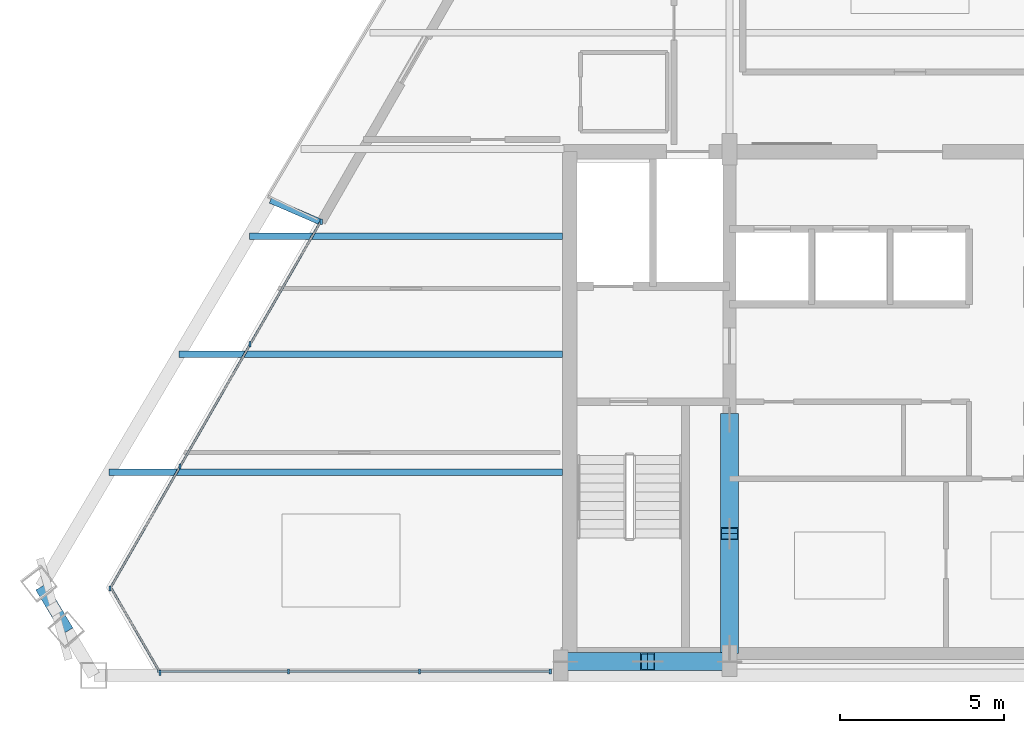
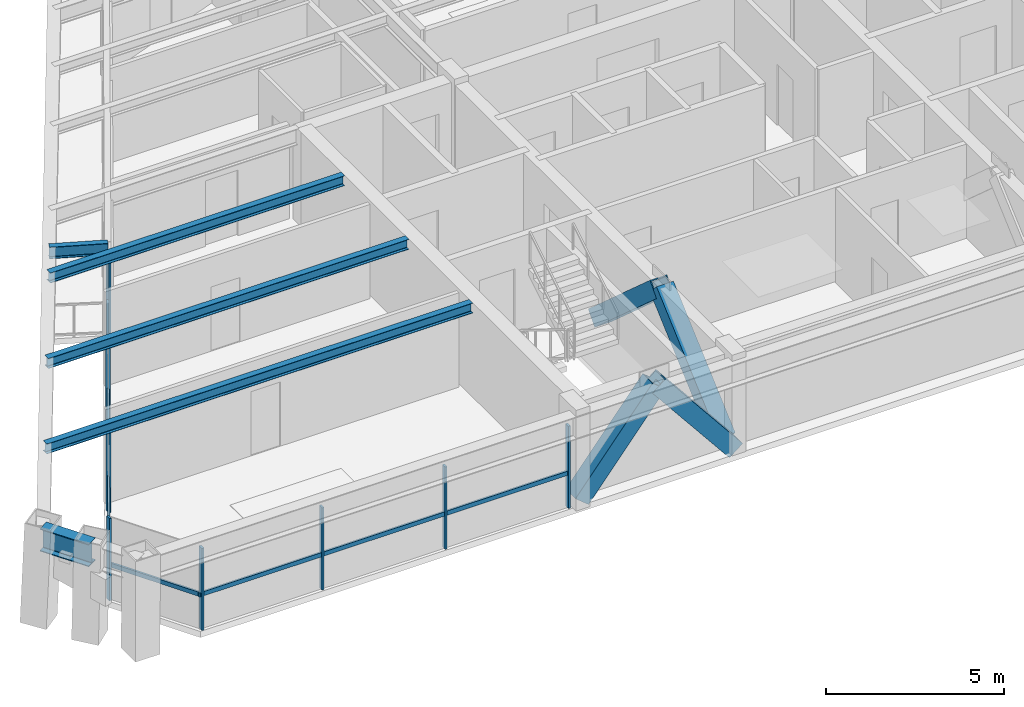
# One storey, part 2 of 13: 19 members, 5 beams, 3 elements without a shape of their own.
"""IFC4 building model written with IfcOpenShell, lengths in metres."""

from ifc_helpers import new_model, si_unit, direction, frame, origin, origin_2d, place, context, subcontext, project, spatial, rectangle, hollow_rectangle, i_section, extrude, source, transform, mapped, material, material_profile, profile_set, type_object, type_shapes, element, aggregate, save


model = new_model("IFC4")

# Units and contexts
model_context = context("Model", 3, precision=1e-05, world=origin(), true_north=direction((0.0, 1.0)))
body_context = subcontext(model_context, "Body", "Model", "MODEL_VIEW")
ifc_project = project(units=[si_unit("LENGTHUNIT", "METRE"), si_unit("AREAUNIT", "SQUARE_METRE"), si_unit("VOLUMEUNIT", "CUBIC_METRE"), si_unit("PLANEANGLEUNIT", "RADIAN"), si_unit("MASSUNIT", "GRAM", prefix="KILO")], contexts=[model_context])

# Site, building, storey
site_placement = place(None, origin())
site = spatial("IfcSite", under=ifc_project, at=site_placement, CompositionType="ELEMENT")
building_placement = place(site_placement, origin())
building = spatial("IfcBuilding", under=site, at=building_placement, Name="Varnakhor Terracotta Tower", CompositionType="ELEMENT")
storey_placement = place(building_placement, frame((0.0, 0.0, 293.699951171875)))
storey = spatial("IfcBuildingStorey", under=building, at=storey_placement, Name="L77", CompositionType="ELEMENT", Elevation=293.699951171875)

# Members
ifc_material_1 = material(Name="Steel S355", Category="steel")
ifc_material_profile_1 = material_profile(ifc_material_1, hollow_rectangle(XDim=0.550048828125, YDim=0.550048828125, WallThickness=0.034912109375, at=origin_2d()), Name="HSS550X550X35")
ifc_profile_set_1 = profile_set([ifc_material_profile_1], Name="Steel S355")
member_type_1 = type_object("IfcMemberType", Name="MBR-MEGA-550", PredefinedType="BRACE", material=ifc_profile_set_1)
shared_shape_1 = source(origin(), body_context, "Body", "SweptSolid", [
    extrude(hollow_rectangle(XDim=0.550048828125, YDim=0.550048828125, WallThickness=0.034912109375, at=origin_2d()), origin(), (0.0, 0.0, 1.0), 3.974853515625),
])
for number, where, z_axis, x_axis, name in (
    (1, (-10.5, 0.419921875, 0.0), (0.628970263838, 0.0, 0.777429358339), (0.0, 1.0, 0.0), "L77 Core Coupled Brace CSWA"),
    (2, (-5.5, 0.419921875, 0.0), (-0.628970263838, 0.0, 0.777429358339), (0.0, -1.0, 0.0), "L77 Core Coupled Brace CSWB"),
):
    element("IfcMember", number, at=place(storey_placement, frame(where, z_axis=z_axis, x_axis=x_axis)), inside=storey, type_object=member_type_1, Name=name, PredefinedType="BRACE", context=body_context, shape_type="MappedRepresentation", body=[
        mapped(shared_shape_1, transform((0.0, 0.0, 0.0), scale=1.0)),
    ])
shared_shape_2 = source(origin(), body_context, "Body", "SweptSolid", [
    extrude(hollow_rectangle(XDim=0.550048828125, YDim=0.550048828125, WallThickness=0.034912109375, at=origin_2d()), origin(), (0.0, 0.0, 1.0), 4.650146484375),
])
for number, where, z_axis, x_axis, name in (
    (3, (-5.5, 0.85009765625, 0.0), (0.0, 0.74726736397, 0.664523503532), (-1.0, 0.0, 0.0), "L77 Core Coupled Brace CWWA"),
    (4, (-5.5, 7.800048828125, 0.0), (0.0, -0.74729054724, 0.664497432655), (1.0, 0.0, 0.0), "L77 Core Coupled Brace CWWB"),
):
    element("IfcMember", number, at=place(storey_placement, frame(where, z_axis=z_axis, x_axis=x_axis)), inside=storey, type_object=member_type_1, Name=name, PredefinedType="BRACE", context=body_context, shape_type="MappedRepresentation", body=[
        mapped(shared_shape_2, transform((0.0, 0.0, 0.0), scale=1.0)),
    ])

# Beams
ifc_material_profile_2 = material_profile(ifc_material_1, i_section(OverallWidth=0.381103515625, OverallDepth=0.77294921875, WebThickness=0.01708984375, FlangeThickness=0.027099609375, FilletRadius=0.01806640625, at=origin_2d()), Name="W30X173")
ifc_profile_set_2 = profile_set([ifc_material_profile_2], Name="Steel S355")
beam_type_1 = type_object("IfcBeamType", Name="BM-W30X173", PredefinedType="BEAM", material=ifc_profile_set_2)
shared_shape_3 = source(origin(), body_context, "Body", "SweptSolid", [
    extrude(i_section(OverallWidth=0.381103515625, OverallDepth=0.77294921875, WebThickness=0.01708984375, FlangeThickness=0.027099609375, FilletRadius=0.01806640625, at=origin_2d()), origin(), (0.0, 0.0, 1.0), 1.572998046875),
])
beam_1_placement = place(storey_placement, frame((-26.49755859375, 2.703369140625, 2.853515625), z_axis=(0.511685751654, -0.859172678543, 0.0), x_axis=(0.859172678543, 0.511685751654, 0.0)))
element("IfcBeam", 5, at=beam_1_placement, inside=storey, type_object=beam_type_1, Name="L77 Perimeter Spandrel 7", PredefinedType="BEAM", context=body_context, shape_type="MappedRepresentation", body=[
    mapped(shared_shape_3, transform((0.0, 0.0, 0.0), scale=1.0)),
])
ifc_material_profile_3 = material_profile(ifc_material_1, i_section(OverallWidth=0.202880859375, OverallDepth=0.346923828125, WebThickness=0.0078125, FlangeThickness=0.013427734375, FilletRadius=0.01806640625, at=origin_2d()), Name="W14X43")
ifc_profile_set_3 = profile_set([ifc_material_profile_3], Name="Steel S355")
beam_type_2 = type_object("IfcBeamType", Name="JST-W14X43", PredefinedType="JOIST", material=ifc_profile_set_3)
shared_shape_4 = source(origin(), body_context, "Body", "SweptSolid", [
    extrude(i_section(OverallWidth=0.202880859375, OverallDepth=0.346923828125, WebThickness=0.0078125, FlangeThickness=0.013427734375, FilletRadius=0.01806640625, at=origin_2d()), origin(), (0.0, 0.0, 1.0), 13.822509765625),
])
beam_2_placement = place(storey_placement, frame((-24.422607421875, 6.199951171875, 3.066650390625), z_axis=(1.0, 0.0, 0.0), x_axis=(0.0, 1.0, 0.0)))
element("IfcBeam", 6, at=beam_2_placement, inside=storey, type_object=beam_type_2, Name="L77 Floor Joist W1", PredefinedType="JOIST", context=body_context, shape_type="MappedRepresentation", body=[
    mapped(shared_shape_4, transform((0.0, 0.0, 0.0), scale=1.0)),
])
shared_shape_5 = source(origin(), body_context, "Body", "SweptSolid", [
    extrude(i_section(OverallWidth=0.202880859375, OverallDepth=0.346923828125, WebThickness=0.0078125, FlangeThickness=0.013427734375, FilletRadius=0.01806640625, at=origin_2d()), origin(), (0.0, 0.0, 1.0), 11.686279296875),
])
beam_3_placement = place(storey_placement, frame((-22.286376953125, 9.800048828125, 3.066650390625), z_axis=(1.0, 0.0, 0.0), x_axis=(0.0, 1.0, 0.0)))
element("IfcBeam", 7, at=beam_3_placement, inside=storey, type_object=beam_type_2, Name="L77 Floor Joist W2", PredefinedType="JOIST", context=body_context, shape_type="MappedRepresentation", body=[
    mapped(shared_shape_5, transform((0.0, 0.0, 0.0), scale=1.0)),
])
shared_shape_6 = source(origin(), body_context, "Body", "SweptSolid", [
    extrude(i_section(OverallWidth=0.202880859375, OverallDepth=0.346923828125, WebThickness=0.0078125, FlangeThickness=0.013427734375, FilletRadius=0.01806640625, at=origin_2d()), origin(), (0.0, 0.0, 1.0), 9.550048828125),
])
beam_4_placement = place(storey_placement, frame((-20.150146484375, 13.39990234375, 3.066650390625), z_axis=(1.0, 0.0, 0.0), x_axis=(0.0, 1.0, 0.0)))
element("IfcBeam", 8, at=beam_4_placement, inside=storey, type_object=beam_type_2, Name="L77 Floor Joist W3", PredefinedType="JOIST", context=body_context, shape_type="MappedRepresentation", body=[
    mapped(shared_shape_6, transform((0.0, 0.0, 0.0), scale=1.0)),
])

# Curtain wall, members
ifc_material_2 = material(Name="Anodised Aluminium Curtain Wall System", Category="aluminium")
curtain_wall_type = type_object("IfcCurtainWallType", Name="CW-SYS-HOTEL-LOGGIA", PredefinedType="NOTDEFINED", material=ifc_material_2)
curtain_wall_1_placement = place(storey_placement, origin())
curtain_wall_1 = element("IfcCurtainWall", 9, at=curtain_wall_1_placement, inside=storey, type_object=curtain_wall_type, Name="L77 W Facet Curtain Wall 1", PredefinedType="NOTDEFINED")
ifc_material_3 = material(Name="Anodised Aluminium 6063-T6", Category="aluminium")
ifc_material_profile_4 = material_profile(ifc_material_3, rectangle(XDim=0.06494140625, YDim=0.159912109375, at=origin_2d()), Name="ALU MULLION 65x160")
ifc_profile_set_4 = profile_set([ifc_material_profile_4], Name="Anodised Aluminium 6063-T6")
member_type_2 = type_object("IfcMemberType", Name="CWM-04", PredefinedType="MULLION", material=ifc_profile_set_4)
shared_shape_7 = source(origin(), body_context, "Body", "SweptSolid", [
    extrude(rectangle(XDim=0.06494140625, YDim=0.159912109375, at=origin_2d()), origin(), (0.0, 0.0, 1.0), 2.820068359375),
])
type_shapes(member_type_2, [shared_shape_7])
member_1_placement = place(storey_placement, frame((-24.393798828125, 2.652587890625, 0.0), z_axis=(0.0, 0.0, 1.0), x_axis=(1.0, 0.0, 0.0)))
member_1 = element("IfcMember", 10, at=member_1_placement, type_object=member_type_2, Name="L77 W Facet Curtain Wall 1 Mullion 1", PredefinedType="MULLION", context=body_context, shape_type="MappedRepresentation", body=[
    mapped(shared_shape_7, transform((0.0, 0.0, 0.0), scale=1.0)),
])
member_2_placement = place(storey_placement, frame((-22.258056640625, 6.37548828125, 0.0), z_axis=(0.0, 0.0, 1.0), x_axis=(1.0, 0.0, 0.0)))
member_2 = element("IfcMember", 11, at=member_2_placement, type_object=member_type_2, Name="L77 W Facet Curtain Wall 1 Mullion 2", PredefinedType="MULLION", context=body_context, shape_type="MappedRepresentation", body=[
    mapped(shared_shape_7, transform((0.0, 0.0, 0.0), scale=1.0)),
])
member_3_placement = place(storey_placement, frame((-20.12255859375, 10.098388671875, 0.0), z_axis=(0.0, 0.0, 1.0), x_axis=(1.0, 0.0, 0.0)))
member_3 = element("IfcMember", 12, at=member_3_placement, type_object=member_type_2, Name="L77 W Facet Curtain Wall 1 Mullion 3", PredefinedType="MULLION", context=body_context, shape_type="MappedRepresentation", body=[
    mapped(shared_shape_7, transform((0.0, 0.0, 0.0), scale=1.0)),
])
member_4_placement = place(storey_placement, frame((-17.95458984375, 13.83740234375, 0.0), z_axis=(0.0, 0.0, 1.0), x_axis=(1.0, 0.0, 0.0)))
member_4 = element("IfcMember", 13, at=member_4_placement, type_object=member_type_2, Name="L77 W Loggia Jamb Closure Mullion 1", PredefinedType="MULLION", context=body_context, shape_type="MappedRepresentation", body=[
    mapped(shared_shape_7, transform((0.0, 0.0, 0.0), scale=1.0)),
])

curtain_wall_2_placement = place(storey_placement, origin())
curtain_wall_2 = element("IfcCurtainWall", 14, at=curtain_wall_2_placement, inside=storey, type_object=curtain_wall_type, Name="L77 South Wing Curtain Wall SSW", PredefinedType="NOTDEFINED")
member_5_placement = place(storey_placement, frame((-10.969970703125, 0.1201171875, 0.0), z_axis=(0.0, 0.0, 1.0), x_axis=(1.0, 0.0, 0.0)))
member_5 = element("IfcMember", 15, at=member_5_placement, type_object=member_type_2, Name="L77 South Wing Curtain Wall SSW Mullion 1", PredefinedType="MULLION", context=body_context, shape_type="MappedRepresentation", body=[
    mapped(shared_shape_7, transform((0.0, 0.0, 0.0), scale=1.0)),
])
member_6_placement = place(storey_placement, frame((-14.963134765625, 0.1201171875, 0.0), z_axis=(0.0, 0.0, 1.0), x_axis=(1.0, 0.0, 0.0)))
member_6 = element("IfcMember", 16, at=member_6_placement, type_object=member_type_2, Name="L77 South Wing Curtain Wall SSW Mullion 2", PredefinedType="MULLION", context=body_context, shape_type="MappedRepresentation", body=[
    mapped(shared_shape_7, transform((0.0, 0.0, 0.0), scale=1.0)),
])
member_7_placement = place(storey_placement, frame((-18.956298828125, 0.1201171875, 0.0), z_axis=(0.0, 0.0, 1.0), x_axis=(1.0, 0.0, 0.0)))
member_7 = element("IfcMember", 17, at=member_7_placement, type_object=member_type_2, Name="L77 South Wing Curtain Wall SSW Mullion 3", PredefinedType="MULLION", context=body_context, shape_type="MappedRepresentation", body=[
    mapped(shared_shape_7, transform((0.0, 0.0, 0.0), scale=1.0)),
])

# Curtain wall, member
curtain_wall_3_placement = place(storey_placement, origin())
curtain_wall_3 = element("IfcCurtainWall", 18, at=curtain_wall_3_placement, inside=storey, type_object=curtain_wall_type, Name="L77 Facet Curtain Wall 6", PredefinedType="NOTDEFINED")
member_8_placement = place(storey_placement, frame((-22.87060546875, 0.0859375, 0.0), z_axis=(0.0, 0.0, 1.0), x_axis=(1.0, 0.0, 0.0)))
member_8 = element("IfcMember", 19, at=member_8_placement, type_object=member_type_2, Name="L77 Facet Curtain Wall 6 Mullion 1", PredefinedType="MULLION", context=body_context, shape_type="MappedRepresentation", body=[
    mapped(shared_shape_7, transform((0.0, 0.0, 0.0), scale=1.0)),
])

# Member
ifc_material_profile_5 = material_profile(ifc_material_3, rectangle(XDim=0.06494140625, YDim=0.14501953125, at=origin_2d()), Name="ALU TRANSOM 65x145")
ifc_profile_set_5 = profile_set([ifc_material_profile_5], Name="Anodised Aluminium 6063-T6")
member_type_3 = type_object("IfcMemberType", Name="CWT-04", PredefinedType="USERDEFINED", material=ifc_profile_set_5)
shared_shape_8 = source(origin(), body_context, "Body", "SweptSolid", [
    extrude(rectangle(XDim=0.06494140625, YDim=0.14501953125, at=origin_2d()), origin(), (0.0, 0.0, 1.0), 4.2919921875),
])
member_9_placement = place(storey_placement, frame((-24.393798828125, 2.652587890625, 1.1845703125), z_axis=(0.497608421844, 0.867401786089, 0.0), x_axis=(-0.867401786089, 0.497608421844, 0.0)))
member_9 = element("IfcMember", 20, at=member_9_placement, type_object=member_type_3, Name="L77 W Facet Curtain Wall 1 Transom 1", ObjectType="TRANSOM", PredefinedType="USERDEFINED", context=body_context, shape_type="MappedRepresentation", body=[
    mapped(shared_shape_8, transform((0.0, 0.0, 0.0), scale=1.0)),
])

member_10_placement = place(storey_placement, frame((-22.258056640625, 6.37548828125, 1.1845703125), z_axis=(0.497565622412, 0.867426337734, 0.0), x_axis=(-0.867426337734, 0.497565622412, 0.0)))
member_10 = element("IfcMember", 21, at=member_10_placement, type_object=member_type_3, Name="L77 W Facet Curtain Wall 1 Transom 2", ObjectType="TRANSOM", PredefinedType="USERDEFINED", context=body_context, shape_type="MappedRepresentation", body=[
    mapped(shared_shape_8, transform((0.0, 0.0, 0.0), scale=1.0)),
])

member_11_placement = place(storey_placement, frame((-20.12255859375, 10.098388671875, 1.1845703125), z_axis=(0.497565622412, 0.867426337734, 0.0), x_axis=(-0.867426337734, 0.497565622412, 0.0)))
member_11 = element("IfcMember", 22, at=member_11_placement, type_object=member_type_3, Name="L77 W Facet Curtain Wall 1 Transom 3", ObjectType="TRANSOM", PredefinedType="USERDEFINED", context=body_context, shape_type="MappedRepresentation", body=[
    mapped(shared_shape_8, transform((0.0, 0.0, 0.0), scale=1.0)),
])

aggregate(curtain_wall_1, [member_1, member_9, member_2, member_10, member_3, member_11, member_4])

shared_shape_9 = source(origin(), body_context, "Body", "SweptSolid", [
    extrude(rectangle(XDim=0.06494140625, YDim=0.14501953125, at=origin_2d()), origin(), (0.0, 0.0, 1.0), 3.9931640625),
])
member_12_placement = place(storey_placement, frame((-10.969970703125, 0.1201171875, 1.1845703125), z_axis=(-1.0, 0.0, 0.0), x_axis=(0.0, -1.0, 0.0)))
member_12 = element("IfcMember", 23, at=member_12_placement, type_object=member_type_3, Name="L77 South Wing Curtain Wall SSW Transom 1", ObjectType="TRANSOM", PredefinedType="USERDEFINED", context=body_context, shape_type="MappedRepresentation", body=[
    mapped(shared_shape_9, transform((0.0, 0.0, 0.0), scale=1.0)),
])

member_13_placement = place(storey_placement, frame((-14.963134765625, 0.1201171875, 1.1845703125), z_axis=(-1.0, 0.0, 0.0), x_axis=(0.0, -1.0, 0.0)))
member_13 = element("IfcMember", 24, at=member_13_placement, type_object=member_type_3, Name="L77 South Wing Curtain Wall SSW Transom 2", ObjectType="TRANSOM", PredefinedType="USERDEFINED", context=body_context, shape_type="MappedRepresentation", body=[
    mapped(shared_shape_9, transform((0.0, 0.0, 0.0), scale=1.0)),
])

shared_shape_10 = source(origin(), body_context, "Body", "SweptSolid", [
    extrude(rectangle(XDim=0.06494140625, YDim=0.14501953125, at=origin_2d()), origin(), (0.0, 0.0, 1.0), 3.993408203125),
])
member_14_placement = place(storey_placement, frame((-18.956298828125, 0.1201171875, 1.1845703125), z_axis=(-1.0, 0.0, 0.0), x_axis=(0.0, -1.0, 0.0)))
member_14 = element("IfcMember", 25, at=member_14_placement, type_object=member_type_3, Name="L77 South Wing Curtain Wall SSW Transom 3", ObjectType="TRANSOM", PredefinedType="USERDEFINED", context=body_context, shape_type="MappedRepresentation", body=[
    mapped(shared_shape_10, transform((0.0, 0.0, 0.0), scale=1.0)),
])

aggregate(curtain_wall_2, [member_5, member_12, member_6, member_13, member_7, member_14])

shared_shape_11 = source(origin(), body_context, "Body", "SweptSolid", [
    extrude(rectangle(XDim=0.06494140625, YDim=0.14501953125, at=origin_2d()), origin(), (0.0, 0.0, 1.0), 3.04296875),
])
member_15_placement = place(storey_placement, frame((-22.87060546875, 0.0859375, 1.1845703125), z_axis=(-0.500564960449, 0.86569897792, 0.0), x_axis=(-0.86569897792, -0.500564960449, 0.0)))
member_15 = element("IfcMember", 26, at=member_15_placement, type_object=member_type_3, Name="L77 Facet Curtain Wall 6 Transom 1", ObjectType="TRANSOM", PredefinedType="USERDEFINED", context=body_context, shape_type="MappedRepresentation", body=[
    mapped(shared_shape_11, transform((0.0, 0.0, 0.0), scale=1.0)),
])

aggregate(curtain_wall_3, [member_8, member_15])

# Beam
ifc_material_profile_6 = material_profile(ifc_material_1, i_section(OverallWidth=0.179931640625, OverallDepth=0.39990234375, WebThickness=0.008544921875, FlangeThickness=0.013427734375, FilletRadius=0.01806640625, at=origin_2d()), Name="IPE400")
ifc_profile_set_6 = profile_set([ifc_material_profile_6], Name="Steel S355")
beam_type_3 = type_object("IfcBeamType", Name="JST-IPE400", PredefinedType="JOIST", material=ifc_profile_set_6)
shared_shape_12 = source(origin(), body_context, "Body", "SweptSolid", [
    extrude(i_section(OverallWidth=0.179931640625, OverallDepth=0.39990234375, WebThickness=0.008544921875, FlangeThickness=0.013427734375, FilletRadius=0.01806640625, at=origin_2d()), origin(), (0.0, 0.0, 1.0), 1.662109375),
])
beam_5_placement = place(storey_placement, frame((-17.978515625, 13.829345703125, 3.0400390625), z_axis=(-0.918055063296, 0.396452898534, 0.0), x_axis=(-0.396452898534, -0.918055063296, 0.0)))
element("IfcBeam", 27, at=beam_5_placement, inside=storey, type_object=beam_type_3, Name="L78 W Loggia Tie Beam 1", PredefinedType="JOIST", context=body_context, shape_type="MappedRepresentation", body=[
    mapped(shared_shape_12, transform((0.0, 0.0, 0.0), scale=1.0)),
])

save(model, "model.ifc")
